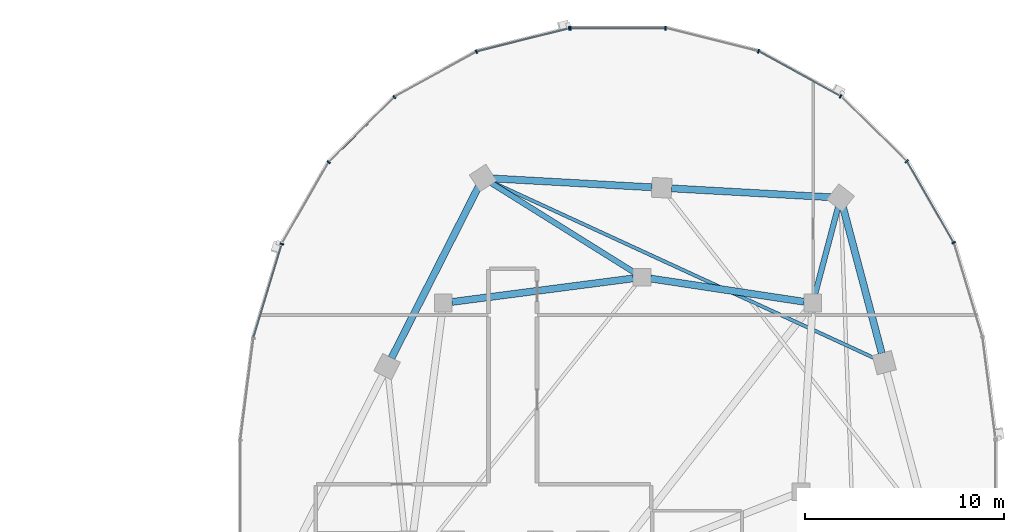
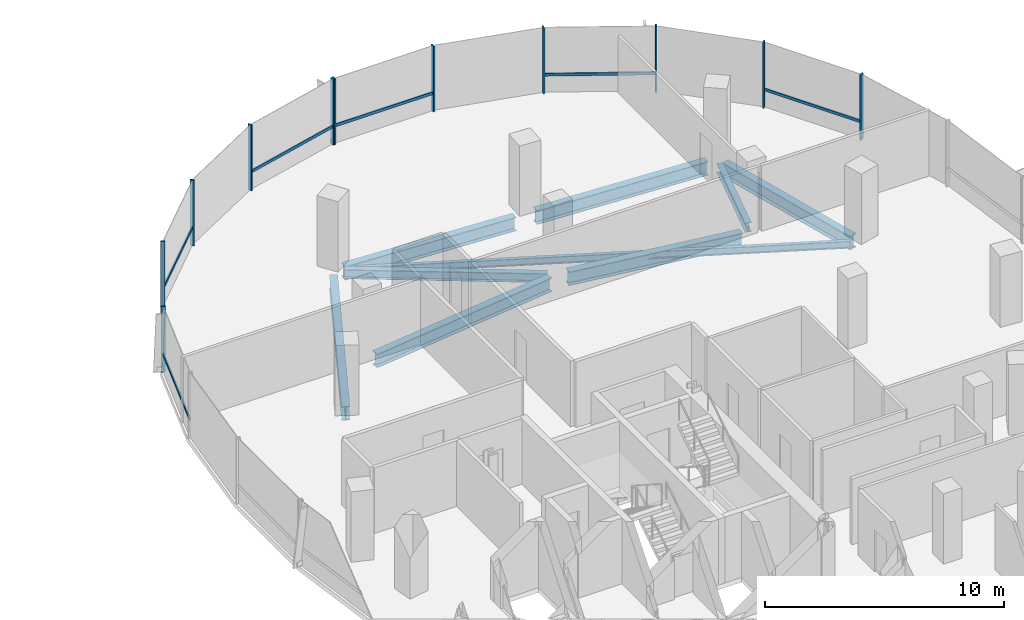
# One storey, part 9 of 22: 17 members, 9 beams, 2 elements without a shape of their own.
"""IFC4 building model written with IfcOpenShell, lengths in metres."""

from ifc_helpers import new_model, si_unit, direction, frame, origin, origin_2d, place, context, subcontext, project, spatial, rectangle, i_section, extrude, material, material_profile, profile_set, type_object, element, aggregate, save


model = new_model("IFC4")

# Units and contexts
model_context = context("Model", 3, precision=1e-05, world=origin(), true_north=direction((0.0, 1.0)))
body_context = subcontext(model_context, "Body", "Model", "MODEL_VIEW")
ifc_project = project(units=[si_unit("LENGTHUNIT", "METRE"), si_unit("AREAUNIT", "SQUARE_METRE"), si_unit("VOLUMEUNIT", "CUBIC_METRE"), si_unit("PLANEANGLEUNIT", "RADIAN"), si_unit("MASSUNIT", "GRAM", prefix="KILO"), si_unit("THERMODYNAMICTEMPERATUREUNIT", "KELVIN"), si_unit("POWERUNIT", "WATT")], contexts=[model_context])

# Site, building, storey
site_placement = place(None, origin())
site = spatial("IfcSite", under=ifc_project, at=site_placement, CompositionType="ELEMENT")
building_placement = place(site_placement, origin())
building = spatial("IfcBuilding", under=site, at=building_placement, Name="Cundina Bronze Exchange", CompositionType="ELEMENT")
storey_placement = place(building_placement, frame((0.0, 0.0, 165.60009765625)))
storey = spatial("IfcBuildingStorey", under=building, at=storey_placement, Name="L43", CompositionType="ELEMENT", Elevation=165.60009765625)

# Beams
ifc_material_1 = material(Name="Steel ASTM A992 Grade 50", Category="steel")
ifc_material_profile_1 = material_profile(ifc_material_1, i_section(OverallWidth=0.280029296875, OverallDepth=0.462890625, WebThickness=0.0107421875, FlangeThickness=0.017333984375, FilletRadius=0.011962890625, at=origin_2d()), Name="W18X76", Category="steel")
ifc_profile_set_1 = profile_set([ifc_material_profile_1], Name="Steel ASTM A992 Grade 50")
beam_type_1 = type_object("IfcBeamType", Name="BM-FLR-W18A", PredefinedType="BEAM", material=ifc_profile_set_1)
beam_1_placement = place(storey_placement, frame((41.911865234375, 9.923583984375, -0.4716796875), z_axis=(0.255413807463, 0.966831829719, 0.0), x_axis=(-0.966831829719, 0.255413807463, 0.0)))
element("IfcBeam", 1, at=beam_1_placement, inside=storey, type_object=beam_type_1, Name="L43 Leg E Chordal Floor Beam 10", PredefinedType="BEAM", context=body_context, shape_type="SweptSolid", body=[
    extrude(i_section(OverallWidth=0.280029296875, OverallDepth=0.462890625, WebThickness=0.0107421875, FlangeThickness=0.017333984375, FilletRadius=0.011962890625, at=origin_2d()), origin(), (0.0, 0.0, 1.0), 4.5556640625),
])
beam_2_placement = place(storey_placement, frame((32.82861328125, 11.031982421875, -0.4716796875), z_axis=(-0.847985407265, 0.530019574228, 0.0), x_axis=(-0.530019574228, -0.847985407265, 0.0)))
element("IfcBeam", 2, at=beam_2_placement, inside=storey, type_object=beam_type_1, Name="L43 Leg E Chordal Floor Beam 12", PredefinedType="BEAM", context=body_context, shape_type="SweptSolid", body=[
    extrude(i_section(OverallWidth=0.280029296875, OverallDepth=0.462890625, WebThickness=0.0107421875, FlangeThickness=0.017333984375, FilletRadius=0.011962890625, at=origin_2d()), origin(), (0.0, 0.0, 1.0), 8.50830078125),
])
ifc_material_profile_2 = material_profile(ifc_material_1, i_section(OverallWidth=0.172119140625, OverallDepth=0.35791015625, WebThickness=0.0078125, FlangeThickness=0.01318359375, FilletRadius=0.010009765625, at=origin_2d()), Name="W14X38", Category="steel")
ifc_profile_set_2 = profile_set([ifc_material_profile_2], Name="Steel ASTM A992 Grade 50")
beam_type_2 = type_object("IfcBeamType", Name="BM-JST-W14", PredefinedType="JOIST", material=ifc_profile_set_2)
beam_3_placement = place(storey_placement, frame((44.956787109375, 6.7041015625, -0.419189453125), z_axis=(-0.908353865734, 0.418202408655, 0.0), x_axis=(-0.418202408655, -0.908353865734, 0.0)))
element("IfcBeam", 3, at=beam_3_placement, inside=storey, type_object=beam_type_2, Name="L43 Leg E Lobe Floor Joist 09-12", PredefinedType="JOIST", context=body_context, shape_type="SweptSolid", body=[
    extrude(i_section(OverallWidth=0.172119140625, OverallDepth=0.35791015625, WebThickness=0.0078125, FlangeThickness=0.01318359375, FilletRadius=0.010009765625, at=origin_2d()), origin(), (0.0, 0.0, 1.0), 21.261962890625),
])
ifc_material_profile_3 = material_profile(ifc_material_1, i_section(OverallWidth=0.35498046875, OverallDepth=0.695068359375, WebThickness=0.015380859375, FlangeThickness=0.02490234375, FilletRadius=0.01806640625, at=origin_2d()), Name="W27X146", Category="steel")
ifc_profile_set_3 = profile_set([ifc_material_profile_3], Name="Steel ASTM A992 Grade 50")
beam_type_3 = type_object("IfcBeamType", Name="BM-RING-W27", PredefinedType="USERDEFINED", material=ifc_profile_set_3)
beam_4_placement = place(storey_placement, frame((41.366943359375, 9.5654296875, -0.587646484375), z_axis=(-0.988764903598, 0.149478979839, 0.0), x_axis=(-0.149478979839, -0.988764903598, 0.0)))
element("IfcBeam", 4, at=beam_4_placement, inside=storey, type_object=beam_type_3, Name="L43 E Inner Structural Ring Girder 05", ObjectType="GIRDER", PredefinedType="USERDEFINED", context=body_context, shape_type="SweptSolid", body=[
    extrude(i_section(OverallWidth=0.35498046875, OverallDepth=0.695068359375, WebThickness=0.015380859375, FlangeThickness=0.02490234375, FilletRadius=0.01806640625, at=origin_2d()), origin(), (0.0, 0.0, 1.0), 7.82177734375),
])
beam_5_placement = place(storey_placement, frame((32.765625, 10.743408203125, -0.587646484375), z_axis=(-0.991656498582, -0.128908451316, 0.0), x_axis=(0.128908451316, -0.991656498582, 0.0)))
element("IfcBeam", 5, at=beam_5_placement, inside=storey, type_object=beam_type_3, Name="L43 E Inner Structural Ring Girder 06", ObjectType="GIRDER", PredefinedType="USERDEFINED", context=body_context, shape_type="SweptSolid", body=[
    extrude(i_section(OverallWidth=0.35498046875, OverallDepth=0.695068359375, WebThickness=0.015380859375, FlangeThickness=0.02490234375, FilletRadius=0.01806640625, at=origin_2d()), origin(), (0.0, 0.0, 1.0), 9.208251953125),
])
beam_6_placement = place(storey_placement, frame((45.27490234375, 6.9716796875, -0.587646484375), z_axis=(-0.256210841755, 0.96662092082, 0.0), x_axis=(-0.96662092082, -0.256210841755, 0.0)))
element("IfcBeam", 6, at=beam_6_placement, inside=storey, type_object=beam_type_3, Name="L43 E Perimeter Ring Girder 09", ObjectType="GIRDER", PredefinedType="USERDEFINED", context=body_context, shape_type="SweptSolid", body=[
    extrude(i_section(OverallWidth=0.35498046875, OverallDepth=0.695068359375, WebThickness=0.015380859375, FlangeThickness=0.02490234375, FilletRadius=0.01806640625, at=origin_2d()), origin(), (0.0, 0.0, 1.0), 7.61083984375),
])
for number, where, z_axis, x_axis, name in (
    (7, (42.712890625, 14.8271484375, -0.587646484375), (-0.998460820451, 0.055461608559, 0.0), (-0.055461608559, -0.998460820451, 0.0), "L43 E Perimeter Ring Girder 10"),
    (8, (33.712890625, 15.3271484375, -0.587646484375), (-0.998460820451, 0.055461608559, 0.0), (-0.055461608559, -0.998460820451, 0.0), "L43 E Perimeter Ring Girder 11"),
):
    element("IfcBeam", number, at=place(storey_placement, frame(where, z_axis=z_axis, x_axis=x_axis)), inside=storey, type_object=beam_type_3, Name=name, ObjectType="GIRDER", PredefinedType="USERDEFINED", context=body_context, shape_type="SweptSolid", body=[
        extrude(i_section(OverallWidth=0.35498046875, OverallDepth=0.695068359375, WebThickness=0.015380859375, FlangeThickness=0.02490234375, FilletRadius=0.01806640625, at=origin_2d()), origin(), (0.0, 0.0, 1.0), 8.0380859375),
    ])
beam_7_placement = place(storey_placement, frame((24.97900390625, 15.364990234375, -0.587646484375), z_axis=(-0.452834585354, -0.891594548159, 0.0), x_axis=(0.891594548159, -0.452834585354, 0.0)))
element("IfcBeam", 9, at=beam_7_placement, inside=storey, type_object=beam_type_3, Name="L43 E Perimeter Ring Girder 12", ObjectType="GIRDER", PredefinedType="USERDEFINED", context=body_context, shape_type="SweptSolid", body=[
    extrude(i_section(OverallWidth=0.35498046875, OverallDepth=0.695068359375, WebThickness=0.015380859375, FlangeThickness=0.02490234375, FilletRadius=0.01806640625, at=origin_2d()), origin(), (0.0, 0.0, 1.0), 9.67919921875),
])

# Curtain wall, members
ifc_material_2 = material(Name="Anodised Bronze Aluminium 6063-T6", Category="aluminium")
curtain_wall_type = type_object("IfcCurtainWallType", Name="CWS-WST-PIN", PredefinedType="NOTDEFINED", material=ifc_material_2)
curtain_wall_1_placement = place(storey_placement, origin())
curtain_wall_1 = element("IfcCurtainWall", 10, at=curtain_wall_1_placement, inside=storey, type_object=curtain_wall_type, Name="L43 CW-04 Curtain Wall Run CWR-L43-E1", PredefinedType="NOTDEFINED")
ifc_material_profile_4 = material_profile(ifc_material_2, rectangle(XDim=0.070068359375, YDim=0.18994140625, at=origin_2d()), Name="AL70X190", Category="aluminium")
ifc_profile_set_4 = profile_set([ifc_material_profile_4], Name="Anodised Bronze Aluminium 6063-T6")
member_type_1 = type_object("IfcMemberType", Name="CWM-MUL-190", PredefinedType="MULLION", material=ifc_profile_set_4)
member_1_placement = place(storey_placement, frame((48.89794921875, 12.541259765625, 0.0), z_axis=(0.0, 0.0, 1.0), x_axis=(-0.498487739754, 0.866896748936, 0.0)))
member_1 = element("IfcMember", 11, at=member_1_placement, type_object=member_type_1, Name="CW-04 Mullion 3", PredefinedType="MULLION", context=body_context, shape_type="SweptSolid", body=[
    extrude(rectangle(XDim=0.070068359375, YDim=0.18994140625, at=origin_2d()), origin(), (0.0, 0.0, 1.0), 3.35986328125),
])
member_2_placement = place(storey_placement, frame((46.530517578125, 16.640380859375, 0.0), z_axis=(0.0, 0.0, 1.0), x_axis=(-0.712026045991, 0.702153052995, 0.0)))
member_2 = element("IfcMember", 12, at=member_2_placement, type_object=member_type_1, Name="CW-04 Mullion 4", PredefinedType="MULLION", context=body_context, shape_type="SweptSolid", body=[
    extrude(rectangle(XDim=0.070068359375, YDim=0.18994140625, at=origin_2d()), origin(), (0.0, 0.0, 1.0), 3.35986328125),
])
member_3_placement = place(storey_placement, frame((43.20654296875, 19.906005859375, 0.0), z_axis=(0.0, 0.0, 1.0), x_axis=(-0.875885937035, 0.482518212408, 0.0)))
member_3 = element("IfcMember", 13, at=member_3_placement, type_object=member_type_1, Name="CW-04 Mullion 5", PredefinedType="MULLION", context=body_context, shape_type="SweptSolid", body=[
    extrude(rectangle(XDim=0.070068359375, YDim=0.18994140625, at=origin_2d()), origin(), (0.0, 0.0, 1.0), 3.35986328125),
])
member_4_placement = place(storey_placement, frame((39.067626953125, 22.17626953125, 0.0), z_axis=(0.0, 0.0, 1.0), x_axis=(-0.970084240161, 0.242768546132, 0.0)))
member_4 = element("IfcMember", 14, at=member_4_placement, type_object=member_type_1, Name="CW-04 Mullion 6", PredefinedType="MULLION", context=body_context, shape_type="SweptSolid", body=[
    extrude(rectangle(XDim=0.070068359375, YDim=0.18994140625, at=origin_2d()), origin(), (0.0, 0.0, 1.0), 3.35986328125),
])
member_5_placement = place(storey_placement, frame((34.39404296875, 23.3369140625, 0.0), z_axis=(0.0, 0.0, 1.0), x_axis=(-1.0, 0.0, 0.0)))
member_5 = element("IfcMember", 15, at=member_5_placement, type_object=member_type_1, Name="CW-04 Mullion 7", PredefinedType="MULLION", context=body_context, shape_type="SweptSolid", body=[
    extrude(rectangle(XDim=0.070068359375, YDim=0.18994140625, at=origin_2d()), origin(), (0.0, 0.0, 1.0), 3.35986328125),
])
member_6_placement = place(storey_placement, frame((29.60595703125, 23.3369140625, 0.0), z_axis=(0.0, 0.0, 1.0), x_axis=(-1.0, 0.0, 0.0)))
member_6 = element("IfcMember", 16, at=member_6_placement, type_object=member_type_1, Name="CW-04 End Mullion", PredefinedType="MULLION", context=body_context, shape_type="SweptSolid", body=[
    extrude(rectangle(XDim=0.070068359375, YDim=0.18994140625, at=origin_2d()), origin(), (0.0, 0.0, 1.0), 3.35986328125),
])

curtain_wall_2_placement = place(storey_placement, origin())
curtain_wall_2 = element("IfcCurtainWall", 17, at=curtain_wall_2_placement, inside=storey, type_object=curtain_wall_type, Name="L43 CW-04 Curtain Wall Run CWR-L43-E2", PredefinedType="NOTDEFINED")
member_7_placement = place(storey_placement, frame((29.537353515625, 23.32861328125, 0.0), z_axis=(0.0, 0.0, 1.0), x_axis=(-0.970084240161, -0.242768546132, 0.0)))
member_7 = element("IfcMember", 18, at=member_7_placement, type_object=member_type_1, Name="CW-04 Mullion 1", PredefinedType="MULLION", context=body_context, shape_type="SweptSolid", body=[
    extrude(rectangle(XDim=0.070068359375, YDim=0.18994140625, at=origin_2d()), origin(), (0.0, 0.0, 1.0), 3.35986328125),
])
member_8_placement = place(storey_placement, frame((24.86962890625, 22.151611328125, 0.0), z_axis=(0.0, 0.0, 1.0), x_axis=(-0.875885937035, -0.482518212408, 0.0)))
member_8 = element("IfcMember", 19, at=member_8_placement, type_object=member_type_1, Name="CW-04 Mullion 2", PredefinedType="MULLION", context=body_context, shape_type="SweptSolid", body=[
    extrude(rectangle(XDim=0.070068359375, YDim=0.18994140625, at=origin_2d()), origin(), (0.0, 0.0, 1.0), 3.35986328125),
])
member_9_placement = place(storey_placement, frame((20.740966796875, 19.86669921875, 0.0), z_axis=(0.0, 0.0, 1.0), x_axis=(-0.712026045991, -0.702153052995, 0.0)))
member_9 = element("IfcMember", 20, at=member_9_placement, type_object=member_type_1, Name="CW-04 Mullion 3", PredefinedType="MULLION", context=body_context, shape_type="SweptSolid", body=[
    extrude(rectangle(XDim=0.070068359375, YDim=0.18994140625, at=origin_2d()), origin(), (0.0, 0.0, 1.0), 3.35986328125),
])
member_10_placement = place(storey_placement, frame((17.42919921875, 16.588134765625, 0.0), z_axis=(0.0, 0.0, 1.0), x_axis=(-0.498487739754, -0.866896748936, 0.0)))
member_10 = element("IfcMember", 21, at=member_10_placement, type_object=member_type_1, Name="CW-04 Mullion 4", PredefinedType="MULLION", context=body_context, shape_type="SweptSolid", body=[
    extrude(rectangle(XDim=0.070068359375, YDim=0.18994140625, at=origin_2d()), origin(), (0.0, 0.0, 1.0), 3.35986328125),
])
member_11_placement = place(storey_placement, frame((15.07373046875, 12.4755859375, 0.0), z_axis=(0.0, 0.0, 1.0), x_axis=(-0.290034140915, -0.957016299288, 0.0)))
member_11 = element("IfcMember", 22, at=member_11_placement, type_object=member_type_1, Name="CW-04 Mullion 5", PredefinedType="MULLION", context=body_context, shape_type="SweptSolid", body=[
    extrude(rectangle(XDim=0.070068359375, YDim=0.18994140625, at=origin_2d()), origin(), (0.0, 0.0, 1.0), 3.35986328125),
])

# Member
ifc_material_profile_5 = material_profile(ifc_material_2, rectangle(XDim=0.06494140625, YDim=0.14990234375, at=origin_2d()), Name="AL65X150", Category="aluminium")
ifc_profile_set_5 = profile_set([ifc_material_profile_5], Name="Anodised Bronze Aluminium 6063-T6")
member_type_2 = type_object("IfcMemberType", Name="CWM-TRN-150", PredefinedType="USERDEFINED", material=ifc_profile_set_5)
member_12_placement = place(storey_placement, frame((48.878662109375, 12.574462890625, 0.919921875), z_axis=(-0.498479967047, 0.866901218394, 0.0), x_axis=(-0.866901218394, -0.498479967047, 0.0)))
member_12 = element("IfcMember", 23, at=member_12_placement, type_object=member_type_2, Name="CW-04 Spandrel Transom 3", ObjectType="TRANSOM", PredefinedType="USERDEFINED", context=body_context, shape_type="SweptSolid", body=[
    extrude(rectangle(XDim=0.06494140625, YDim=0.14990234375, at=origin_2d()), origin(), (0.0, 0.0, 1.0), 4.66845703125),
])

member_13_placement = place(storey_placement, frame((43.1728515625, 19.924560546875, 0.919921875), z_axis=(-0.875878981549, 0.482530838062, 0.0), x_axis=(-0.482530838062, -0.875878981549, 0.0)))
member_13 = element("IfcMember", 24, at=member_13_placement, type_object=member_type_2, Name="CW-04 Spandrel Transom 5", ObjectType="TRANSOM", PredefinedType="USERDEFINED", context=body_context, shape_type="SweptSolid", body=[
    extrude(rectangle(XDim=0.06494140625, YDim=0.14990234375, at=origin_2d()), origin(), (0.0, 0.0, 1.0), 4.65380859375),
])

member_14_placement = place(storey_placement, frame((34.35546875, 23.3369140625, 0.919921875), z_axis=(-1.0, 0.0, 0.0), x_axis=(0.0, -1.0, 0.0)))
member_14 = element("IfcMember", 25, at=member_14_placement, type_object=member_type_2, Name="CW-04 Spandrel Transom 7", ObjectType="TRANSOM", PredefinedType="USERDEFINED", context=body_context, shape_type="SweptSolid", body=[
    extrude(rectangle(XDim=0.06494140625, YDim=0.14990234375, at=origin_2d()), origin(), (0.0, 0.0, 1.0), 4.7109375),
])

aggregate(curtain_wall_1, [member_1, member_12, member_2, member_3, member_13, member_4, member_5, member_6, member_14])

member_15_placement = place(storey_placement, frame((29.5, 23.319091796875, 0.919921875), z_axis=(-0.970100130035, -0.242705042606, 0.0), x_axis=(0.242705042606, -0.970100130035, 0.0)))
member_15 = element("IfcMember", 26, at=member_15_placement, type_object=member_type_2, Name="CW-04 Spandrel Transom 1", ObjectType="TRANSOM", PredefinedType="USERDEFINED", context=body_context, shape_type="SweptSolid", body=[
    extrude(rectangle(XDim=0.06494140625, YDim=0.14990234375, at=origin_2d()), origin(), (0.0, 0.0, 1.0), 4.746826171875),
])

member_16_placement = place(storey_placement, frame((20.71337890625, 19.839599609375, 0.919921875), z_axis=(-0.712005023839, -0.702174370102, 0.0), x_axis=(0.702174370102, -0.712005023839, 0.0)))
member_16 = element("IfcMember", 27, at=member_16_placement, type_object=member_type_2, Name="CW-04 Spandrel Transom 3", ObjectType="TRANSOM", PredefinedType="USERDEFINED", context=body_context, shape_type="SweptSolid", body=[
    extrude(rectangle(XDim=0.06494140625, YDim=0.14990234375, at=origin_2d()), origin(), (0.0, 0.0, 1.0), 4.594482421875),
])

member_17_placement = place(storey_placement, frame((15.062744140625, 12.43896484375, 0.919921875), z_axis=(-0.290051855969, -0.957010930371, 0.0), x_axis=(0.957010930371, -0.290051855969, 0.0)))
member_17 = element("IfcMember", 28, at=member_17_placement, type_object=member_type_2, Name="CW-04 Spandrel Transom 5", ObjectType="TRANSOM", PredefinedType="USERDEFINED", context=body_context, shape_type="SweptSolid", body=[
    extrude(rectangle(XDim=0.06494140625, YDim=0.14990234375, at=origin_2d()), origin(), (0.0, 0.0, 1.0), 4.876953125),
])

aggregate(curtain_wall_2, [member_7, member_15, member_8, member_9, member_16, member_10, member_11, member_17])

save(model, "model.ifc")
